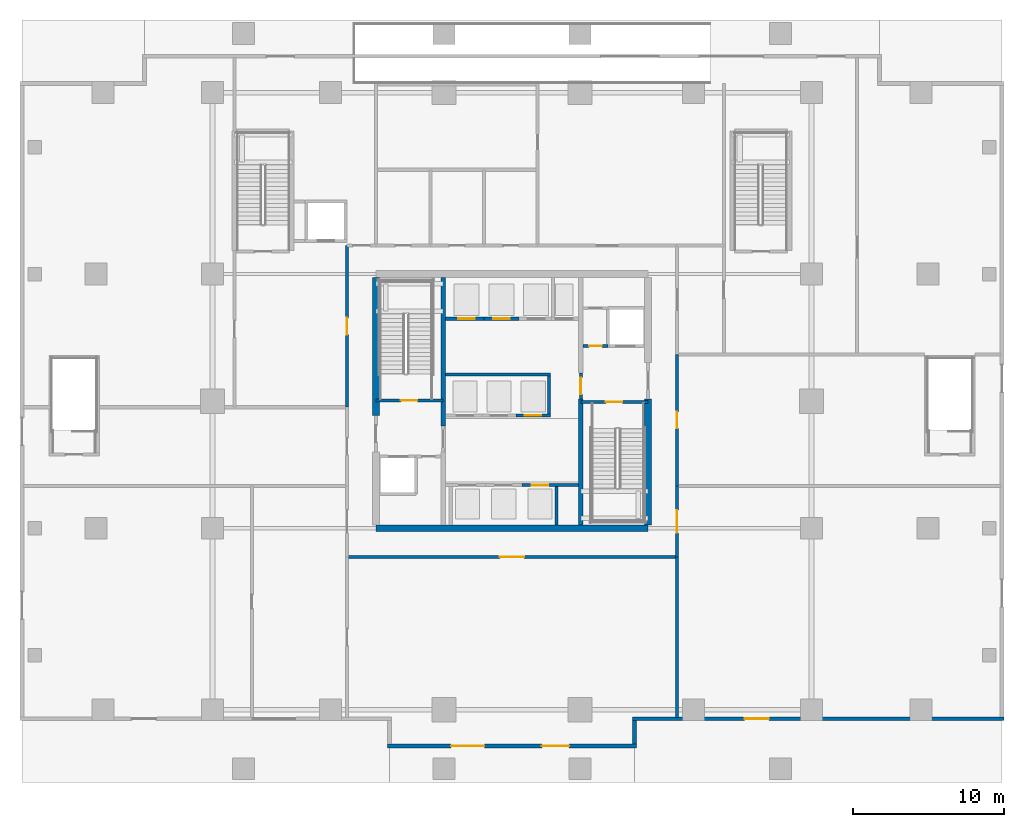
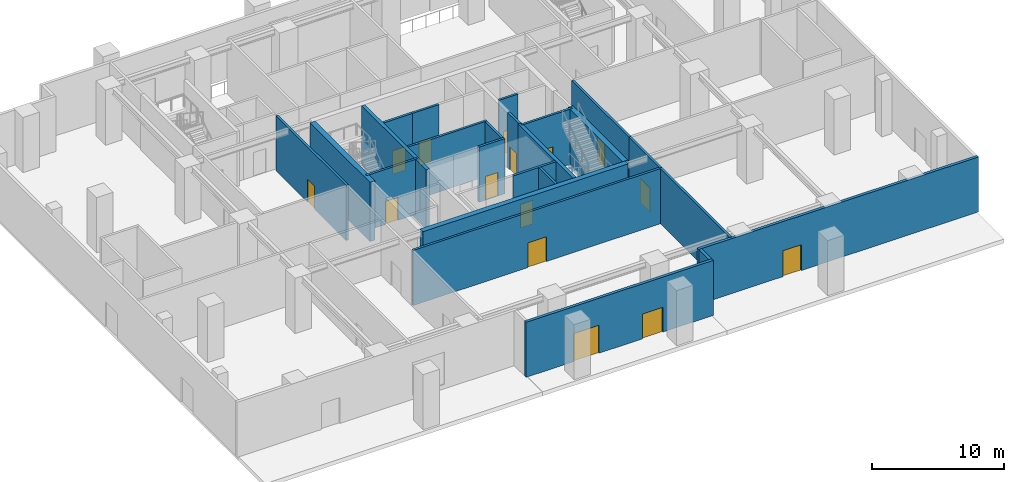
# One storey, part 4 of 15: 24 walls, 15 doors, 15 openings.
"""IFC4 building model written with IfcOpenShell, lengths in metres."""

from ifc_helpers import new_model, si_unit, direction, frame, frame_2d, origin, place, context, subcontext, project, spatial, rectangle, extrude, source, transform, mapped, material, layer, layer_set, type_object, element, fill, save


model = new_model("IFC4")

# Units and contexts
model_context = context("Model", 3, precision=1e-05, world=origin(), true_north=direction((0.0, 1.0)))
body_context = subcontext(model_context, "Body", "Model", "MODEL_VIEW")
ifc_project = project(units=[si_unit("LENGTHUNIT", "METRE"), si_unit("AREAUNIT", "SQUARE_METRE"), si_unit("VOLUMEUNIT", "CUBIC_METRE"), si_unit("PLANEANGLEUNIT", "RADIAN"), si_unit("MASSUNIT", "GRAM", prefix="KILO")], contexts=[model_context])

# Site, building, storey
site_placement = place(None, origin())
site = spatial("IfcSite", under=ifc_project, at=site_placement, CompositionType="ELEMENT")
building_placement = place(site_placement, origin())
building = spatial("IfcBuilding", under=site, at=building_placement, Name="Serunith Strait Residences", CompositionType="ELEMENT")
storey_placement = place(building_placement, origin())
storey = spatial("IfcBuildingStorey", under=building, at=storey_placement, Name="L00", CompositionType="ELEMENT", Elevation=0.0)

# Wall, openings, doors
ifc_material_1 = material(Name="Pale-Silver Aluminium Terracotta-Backed Wall", Category="masonry")
ifc_layer_1 = layer(ifc_material_1, 0.25, Name="Pale-Silver Aluminium Terracotta-Backed Wall")
ifc_layer_set_1 = layer_set([ifc_layer_1], Name="Pale-Silver Aluminium Terracotta-Backed Wall")
wall_type_1 = type_object("IfcWallType", Name="EW-POD-250", PredefinedType="ELEMENTEDWALL", material=ifc_layer_set_1)
wall_1_placement = place(storey_placement, frame((24.175048828125, 2.39990234375, 0.0), z_axis=(0.0, 0.0, 1.0), x_axis=(1.0, 0.0, 0.0)))
wall_1 = element("IfcWall", 1, at=wall_1_placement, inside=storey, type_object=wall_type_1, Name="L00 Podium Envelope Wall 3", PredefinedType="ELEMENTEDWALL", context=body_context, shape_type="SweptSolid", body=[
    extrude(rectangle(XDim=16.449951171875, YDim=0.25, at=frame_2d((8.22509765625, 0.0))), origin(), (0.0, 0.0, 1.0), 5.10498046875),
])
opening_1_placement = place(wall_1_placement, frame((4.199951171875, 0.0, 0.0)))
opening_1 = element("IfcOpeningElement", 2, at=opening_1_placement, cuts=wall_1, Name="Opening ED-01", PredefinedType="OPENING", context=body_context, shape_type="SweptSolid", body=[
    extrude(rectangle(XDim=2.199951171875, YDim=2.60009765625, at=frame_2d((1.10009765625, 1.300048828125))), frame((0.0, 0.135009765625, 0.0), z_axis=(0.0, -1.0, 0.0), x_axis=(1.0, 0.0, 0.0)), (0.0, 0.0, 1.0), 0.27001953125),
])
opening_2_placement = place(wall_1_placement, frame((10.199951171875, 0.0, 0.0)))
opening_2 = element("IfcOpeningElement", 3, at=opening_2_placement, cuts=wall_1, Name="Opening EX-05", PredefinedType="OPENING", context=body_context, shape_type="SweptSolid", body=[
    extrude(rectangle(XDim=1.800048828125, YDim=2.300048828125, at=frame_2d((0.89990234375, 1.14990234375))), frame((0.0, 0.135009765625, 0.0), z_axis=(0.0, -1.0, 0.0), x_axis=(1.0, 0.0, 0.0)), (0.0, 0.0, 1.0), 0.27001953125),
])
ifc_material_2 = material(Name="Pale-Champagne Aluminium Entrance Double Door", Category="aluminium")
door_type_1 = type_object("IfcDoorType", Name="ED-ENTR-2200", OperationType="NOTDEFINED", PredefinedType="DOOR", material=ifc_material_2)
shared_shape_1 = source(origin(), body_context, "Body", "SweptSolid", [
    extrude(rectangle(XDim=2.199951171875, YDim=2.60009765625, at=frame_2d((1.10009765625, 1.300048828125))), frame((0.0, 0.02490234375, 0.0), z_axis=(0.0, -1.0, 0.0), x_axis=(1.0, 0.0, 0.0)), (0.0, 0.0, 1.0), 0.050048828125),
])
door_1_placement = place(opening_1_placement, origin())
door_1 = element("IfcDoor", 4, at=door_1_placement, inside=storey, type_object=door_type_1, Name="Grand Waterfront Entrance Door", OperationType="DOUBLE_DOOR_SINGLE_SWING", OverallHeight=2.60009765625, OverallWidth=2.199951171875, PredefinedType="DOOR", context=body_context, shape_type="MappedRepresentation", body=[
    mapped(shared_shape_1, transform((0.0, 0.0, 0.0), scale=1.0)),
])
fill(opening_1, door_1)
ifc_material_3 = material(Name="Stainless Steel Glazed Exit Door", Category="steel")
door_type_2 = type_object("IfcDoorType", Name="ED-EXIT-1800", OperationType="NOTDEFINED", PredefinedType="DOOR", material=ifc_material_3)
shared_shape_2 = source(origin(), body_context, "Body", "SweptSolid", [
    extrude(rectangle(XDim=1.800048828125, YDim=2.300048828125, at=frame_2d((0.89990234375, 1.14990234375))), frame((0.0, 0.02490234375, 0.0), z_axis=(0.0, -1.0, 0.0), x_axis=(1.0, 0.0, 0.0)), (0.0, 0.0, 1.0), 0.050048828125),
])
door_2_placement = place(opening_2_placement, frame((1.800048828125, 0.0, 0.0), z_axis=(0.0, 0.0, 1.0), x_axis=(-1.0, 0.0, 0.0)))
door_2 = element("IfcDoor", 5, at=door_2_placement, inside=storey, type_object=door_type_2, Name="Ground Final Exit Door EX-05", OperationType="DOUBLE_DOOR_SINGLE_SWING", OverallHeight=2.300048828125, OverallWidth=1.800048828125, PredefinedType="DOOR", context=body_context, shape_type="MappedRepresentation", body=[
    mapped(shared_shape_2, transform((0.0, 0.0, 0.0), scale=1.0)),
])
fill(opening_2, door_2)

# Wall
wall_2_placement = place(storey_placement, frame((40.5, 2.52490234375, 0.0), z_axis=(0.0, 0.0, 1.0), x_axis=(0.0, 1.0, 0.0)))
element("IfcWall", 6, at=wall_2_placement, inside=storey, type_object=wall_type_1, Name="L00 Podium Envelope Wall 4", PredefinedType="ELEMENTEDWALL", context=body_context, shape_type="SweptSolid", body=[
    extrude(rectangle(XDim=1.550048828125, YDim=0.25, at=frame_2d((0.77490234375, 0.0))), origin(), (0.0, 0.0, 1.0), 5.10498046875),
])

# Wall, opening, door
wall_3_placement = place(storey_placement, frame((40.375, 4.199951171875, 0.0), z_axis=(0.0, 0.0, 1.0), x_axis=(1.0, 0.0, 0.0)))
wall_3 = element("IfcWall", 7, at=wall_3_placement, inside=storey, type_object=wall_type_1, Name="L00 Podium Envelope Wall 5", PredefinedType="ELEMENTEDWALL", context=body_context, shape_type="SweptSolid", body=[
    extrude(rectangle(XDim=24.550048828125, YDim=0.25, at=frame_2d((12.27490234375, 0.0))), origin(), (0.0, 0.0, 1.0), 5.10498046875),
])
opening_3_placement = place(wall_3_placement, frame((7.39990234375, 0.0, 0.0)))
opening_3 = element("IfcOpeningElement", 8, at=opening_3_placement, cuts=wall_3, Name="Opening ED-02", PredefinedType="OPENING", context=body_context, shape_type="SweptSolid", body=[
    extrude(rectangle(XDim=1.60009765625, YDim=2.39990234375, at=frame_2d((0.800048828125, 1.199951171875))), frame((0.0, 0.135009765625, 0.0), z_axis=(0.0, -1.0, 0.0), x_axis=(1.0, 0.0, 0.0)), (0.0, 0.0, 1.0), 0.27001953125),
])
ifc_material_4 = material(Name="Anodised Aluminium Retail Door", Category="aluminium")
door_type_3 = type_object("IfcDoorType", Name="ED-SHOP-1600", OperationType="NOTDEFINED", PredefinedType="DOOR", material=ifc_material_4)
shared_shape_3 = source(origin(), body_context, "Body", "SweptSolid", [
    extrude(rectangle(XDim=1.60009765625, YDim=2.39990234375, at=frame_2d((0.800048828125, 1.199951171875))), frame((0.0, 0.02490234375, 0.0), z_axis=(0.0, -1.0, 0.0), x_axis=(1.0, 0.0, 0.0)), (0.0, 0.0, 1.0), 0.050048828125),
])
door_3_placement = place(opening_3_placement, origin())
door_3 = element("IfcDoor", 9, at=door_3_placement, inside=storey, type_object=door_type_3, Name="Waterfront Retail Shop Entrance 4", OperationType="SINGLE_SWING_LEFT", OverallHeight=2.39990234375, OverallWidth=1.60009765625, PredefinedType="DOOR", context=body_context, shape_type="MappedRepresentation", body=[
    mapped(shared_shape_3, transform((0.0, 0.0, 0.0), scale=1.0)),
])
fill(opening_3, door_3)

# Wall
ifc_material_5 = material(Name="Reinforced masonry fire compartment wall", Category="masonry")
ifc_layer_2 = layer(ifc_material_5, 0.199951171875, Name="Reinforced masonry fire compartment wall")
ifc_layer_set_2 = layer_set([ifc_layer_2], Name="Reinforced masonry fire compartment wall")
wall_type_2 = type_object("IfcWallType", Name="IW-PASS-200", PredefinedType="STANDARD", material=ifc_layer_set_2)
wall_4_placement = place(storey_placement, frame((43.300048828125, 4.281982421875, 0.0), z_axis=(0.0, 0.0, 1.0), x_axis=(0.0, 1.0, 0.0)))
element("IfcWall", 10, at=wall_4_placement, inside=storey, type_object=wall_type_2, Name="L00 Partition Wall 015", PredefinedType="STANDARD", context=body_context, shape_type="SweptSolid", body=[
    extrude(rectangle(XDim=10.617919921875, YDim=0.199951171875, at=frame_2d((5.30908203125, 0.0))), origin(), (0.0, 0.0, 1.0), 5.1201171875),
])

# Wall, opening, door
wall_5_placement = place(storey_placement, frame((21.5, 14.89990234375, 0.0), z_axis=(0.0, 0.0, 1.0), x_axis=(1.0, 0.0, 0.0)))
wall_5 = element("IfcWall", 11, at=wall_5_placement, inside=storey, type_object=wall_type_2, Name="L00 Partition Wall 022", PredefinedType="STANDARD", context=body_context, shape_type="SweptSolid", body=[
    extrude(rectangle(XDim=21.800048828125, YDim=0.199951171875, at=frame_2d((10.89990234375, 0.0))), origin(), (0.0, 0.0, 1.0), 5.1201171875),
])
opening_4_placement = place(wall_5_placement, frame((10.10009765625, 0.0, 0.0)))
opening_4 = element("IfcOpeningElement", 12, at=opening_4_placement, cuts=wall_5, Name="Opening D-POD1600", PredefinedType="OPENING", context=body_context, shape_type="SweptSolid", body=[
    extrude(rectangle(XDim=1.60009765625, YDim=2.300048828125, at=frame_2d((0.800048828125, 1.14990234375))), frame((0.0, 0.10986328125, 0.0), z_axis=(0.0, -1.0, 0.0), x_axis=(1.0, 0.0, 0.0)), (0.0, 0.0, 1.0), 0.219970703125),
])
ifc_material_6 = material(Name="Pale-champagne aluminium glazed concourse door", Category="aluminium")
door_type_4 = type_object("IfcDoorType", Name="ID-POD-1600", OperationType="DOUBLE_DOOR_SINGLE_SWING", PredefinedType="DOOR", material=ifc_material_6)
shared_shape_4 = source(origin(), body_context, "Body", "SweptSolid", [
    extrude(rectangle(XDim=1.60009765625, YDim=2.300048828125, at=frame_2d((0.800048828125, 1.14990234375))), frame((0.0, 0.02490234375, 0.0), z_axis=(0.0, -1.0, 0.0), x_axis=(1.0, 0.0, 0.0)), (0.0, 0.0, 1.0), 0.050048828125),
])
door_4_placement = place(opening_4_placement, origin())
door_4 = element("IfcDoor", 13, at=door_4_placement, inside=storey, type_object=door_type_4, Name="Grand Arrival Lobby Concourse Door", OperationType="DOUBLE_DOOR_SINGLE_SWING", OverallHeight=2.300048828125, OverallWidth=1.60009765625, PredefinedType="DOOR", context=body_context, shape_type="MappedRepresentation", body=[
    mapped(shared_shape_4, transform((0.0, 0.0, 0.0), scale=1.0)),
])
fill(opening_4, door_4)

wall_6_placement = place(storey_placement, frame((21.5, 24.802001953125, 0.0), z_axis=(0.0, 0.0, 1.0), x_axis=(0.0, 1.0, 0.0)))
wall_6 = element("IfcWall", 14, at=wall_6_placement, inside=storey, type_object=wall_type_2, Name="L00 Partition Wall 027", PredefinedType="STANDARD", context=body_context, shape_type="SweptSolid", body=[
    extrude(rectangle(XDim=10.697998046875, YDim=0.199951171875, at=frame_2d((5.34912109375, 0.0))), origin(), (0.0, 0.0, 1.0), 5.1201171875),
])
opening_5_placement = place(wall_6_placement, frame((4.799072265625, 0.0, 0.0)))
opening_5 = element("IfcOpeningElement", 15, at=opening_5_placement, cuts=wall_6, Name="Opening FD-1100", PredefinedType="OPENING", context=body_context, shape_type="SweptSolid", body=[
    extrude(rectangle(XDim=1.10009765625, YDim=2.14990234375, at=frame_2d((0.550048828125, 1.074951171875))), frame((0.0, 0.10986328125, 0.0), z_axis=(0.0, -1.0, 0.0), x_axis=(1.0, 0.0, 0.0)), (0.0, 0.0, 1.0), 0.219970703125),
])
ifc_material_7 = material(Name="Galvanised steel fire door leaf", Category="steel")
door_type_5 = type_object("IfcDoorType", Name="FD-STAIR-1100", OperationType="NOTDEFINED", PredefinedType="DOOR", material=ifc_material_7)
shared_shape_5 = source(origin(), body_context, "Body", "SweptSolid", [
    extrude(rectangle(XDim=1.10009765625, YDim=2.14990234375, at=frame_2d((0.550048828125, 1.074951171875))), frame((0.0, 0.02490234375, 0.0), z_axis=(0.0, -1.0, 0.0), x_axis=(1.0, 0.0, 0.0)), (0.0, 0.0, 1.0), 0.050048828125),
])
door_5_placement = place(opening_5_placement, origin())
door_5 = element("IfcDoor", 16, at=door_5_placement, inside=storey, type_object=door_type_5, Name="Exit Passage 3 Concourse Door", OperationType="SINGLE_SWING_RIGHT", OverallHeight=2.14990234375, OverallWidth=1.10009765625, PredefinedType="DOOR", context=body_context, shape_type="MappedRepresentation", body=[
    mapped(shared_shape_5, transform((0.0, 0.0, 0.0), scale=1.0)),
])
fill(opening_5, door_5)

wall_7_placement = place(storey_placement, frame((43.300048828125, 14.902099609375, 0.0), z_axis=(0.0, 0.0, 1.0), x_axis=(0.0, 1.0, 0.0)))
wall_7 = element("IfcWall", 17, at=wall_7_placement, inside=storey, type_object=wall_type_2, Name="L00 Partition Wall 032", PredefinedType="STANDARD", context=body_context, shape_type="SweptSolid", body=[
    extrude(rectangle(XDim=4.697998046875, YDim=0.199951171875, at=frame_2d((2.34912109375, 0.0))), origin(), (0.0, 0.0, 1.0), 5.1201171875),
])
opening_6_placement = place(wall_7_placement, frame((1.59912109375, 0.0, 0.0)))
opening_6 = element("IfcOpeningElement", 18, at=opening_6_placement, cuts=wall_7, Name="Opening D-POD1500", PredefinedType="OPENING", context=body_context, shape_type="SweptSolid", body=[
    extrude(rectangle(XDim=1.5, YDim=2.25, at=frame_2d((0.75, 1.125))), frame((0.0, 0.10986328125, 0.0), z_axis=(0.0, -1.0, 0.0), x_axis=(1.0, 0.0, 0.0)), (0.0, 0.0, 1.0), 0.219970703125),
])
ifc_material_8 = material(Name="Pale-champagne aluminium glazed double door", Category="aluminium")
door_type_6 = type_object("IfcDoorType", Name="ID-POD-1500", OperationType="DOUBLE_DOOR_SINGLE_SWING", PredefinedType="DOOR", material=ifc_material_8)
shared_shape_6 = source(origin(), body_context, "Body", "SweptSolid", [
    extrude(rectangle(XDim=1.5, YDim=2.25, at=frame_2d((0.75, 1.125))), frame((0.0, 0.02490234375, 0.0), z_axis=(0.0, -1.0, 0.0), x_axis=(1.0, 0.0, 0.0)), (0.0, 0.0, 1.0), 0.050048828125),
])
door_6_placement = place(opening_6_placement, origin())
door_6 = element("IfcDoor", 19, at=door_6_placement, inside=storey, type_object=door_type_6, Name="Waterfront Retail 02 Concourse Door", OperationType="DOUBLE_DOOR_SINGLE_SWING", OverallHeight=2.25, OverallWidth=1.5, PredefinedType="DOOR", context=body_context, shape_type="MappedRepresentation", body=[
    mapped(shared_shape_6, transform((0.0, 0.0, 0.0), scale=1.0)),
])
fill(opening_6, door_6)

wall_8_placement = place(storey_placement, frame((43.300048828125, 19.60205078125, 0.0), z_axis=(0.0, 0.0, 1.0), x_axis=(0.0, 1.0, 0.0)))
wall_8 = element("IfcWall", 20, at=wall_8_placement, inside=storey, type_object=wall_type_2, Name="L00 Partition Wall 033", PredefinedType="STANDARD", context=body_context, shape_type="SweptSolid", body=[
    extrude(rectangle(XDim=8.697998046875, YDim=0.199951171875, at=frame_2d((4.34912109375, 0.0))), origin(), (0.0, 0.0, 1.0), 5.1201171875),
])
opening_7_placement = place(wall_8_placement, frame((3.799072265625, 0.0, 0.0)))
opening_7 = element("IfcOpeningElement", 21, at=opening_7_placement, cuts=wall_8, Name="Opening FD-1100", PredefinedType="OPENING", context=body_context, shape_type="SweptSolid", body=[
    extrude(rectangle(XDim=1.10009765625, YDim=2.14990234375, at=frame_2d((0.550048828125, 1.074951171875))), frame((0.0, 0.10986328125, 0.0), z_axis=(0.0, -1.0, 0.0), x_axis=(1.0, 0.0, 0.0)), (0.0, 0.0, 1.0), 0.219970703125),
])
door_7_placement = place(opening_7_placement, origin())
door_7 = element("IfcDoor", 22, at=door_7_placement, inside=storey, type_object=door_type_5, Name="Exit Passage 2 Concourse Door", OperationType="SINGLE_SWING_LEFT", OverallHeight=2.14990234375, OverallWidth=1.10009765625, PredefinedType="DOOR", context=body_context, shape_type="MappedRepresentation", body=[
    mapped(shared_shape_5, transform((0.0, 0.0, 0.0), scale=1.0)),
])
fill(opening_7, door_7)

ifc_material_9 = material(Name="Autoclaved aerated concrete blockwork", Category="masonry")
ifc_layer_3 = layer(ifc_material_9, 0.199951171875, Name="Autoclaved aerated concrete blockwork")
ifc_layer_set_3 = layer_set([ifc_layer_3], Name="Autoclaved aerated concrete blockwork")
wall_type_3 = type_object("IfcWallType", Name="IW-SHAFT-200", PredefinedType="STANDARD", material=ifc_layer_set_3)
wall_9_placement = place(storey_placement, frame((23.39990234375, 25.25, 0.0), z_axis=(0.0, 0.0, 1.0), x_axis=(1.0, 0.0, 0.0)))
wall_9 = element("IfcWall", 23, at=wall_9_placement, inside=storey, type_object=wall_type_3, Name="L00 ST-1 South Shaft Wall", PredefinedType="STANDARD", context=body_context, shape_type="SweptSolid", body=[
    extrude(rectangle(XDim=4.4501953125, YDim=0.199951171875, at=frame_2d((2.22509765625, 0.0))), origin(), (0.0, 0.0, 1.0), 5.1201171875),
])
opening_8_placement = place(wall_9_placement, frame((1.64990234375, 0.0, 0.0)))
opening_8 = element("IfcOpeningElement", 24, at=opening_8_placement, cuts=wall_9, Name="Opening FD-1100", PredefinedType="OPENING", context=body_context, shape_type="SweptSolid", body=[
    extrude(rectangle(XDim=1.10009765625, YDim=2.14990234375, at=frame_2d((0.550048828125, 1.074951171875))), frame((0.0, 0.10986328125, 0.0), z_axis=(0.0, -1.0, 0.0), x_axis=(1.0, 0.0, 0.0)), (0.0, 0.0, 1.0), 0.219970703125),
])
door_8_placement = place(opening_8_placement, origin())
door_8 = element("IfcDoor", 25, at=door_8_placement, inside=storey, type_object=door_type_5, Name="L00 ST-1 Escape Stair Door", OperationType="SINGLE_SWING_RIGHT", OverallHeight=2.14990234375, OverallWidth=1.10009765625, PredefinedType="DOOR", context=body_context, shape_type="MappedRepresentation", body=[
    mapped(shared_shape_5, transform((0.0, 0.0, 0.0), scale=1.0)),
])
fill(opening_8, door_8)

wall_10_placement = place(storey_placement, frame((36.949951171875, 25.14990234375, 0.0), z_axis=(0.0, 0.0, 1.0), x_axis=(1.0, 0.0, 0.0)))
wall_10 = element("IfcWall", 26, at=wall_10_placement, inside=storey, type_object=wall_type_3, Name="L00 ST-2 North Shaft Wall", PredefinedType="STANDARD", context=body_context, shape_type="SweptSolid", body=[
    extrude(rectangle(XDim=4.449951171875, YDim=0.199951171875, at=frame_2d((2.22509765625, 0.0))), origin(), (0.0, 0.0, 1.0), 5.1201171875),
])
opening_9_placement = place(wall_10_placement, frame((1.64990234375, 0.0, 0.0)))
opening_9 = element("IfcOpeningElement", 27, at=opening_9_placement, cuts=wall_10, Name="Opening FD-1100", PredefinedType="OPENING", context=body_context, shape_type="SweptSolid", body=[
    extrude(rectangle(XDim=1.10009765625, YDim=2.14990234375, at=frame_2d((0.550048828125, 1.074951171875))), frame((0.0, 0.10986328125, 0.0), z_axis=(0.0, -1.0, 0.0), x_axis=(1.0, 0.0, 0.0)), (0.0, 0.0, 1.0), 0.219970703125),
])
door_9_placement = place(opening_9_placement, origin())
door_9 = element("IfcDoor", 28, at=door_9_placement, inside=storey, type_object=door_type_5, Name="L00 ST-2 Escape Stair Door", OperationType="SINGLE_SWING_LEFT", OverallHeight=2.14990234375, OverallWidth=1.10009765625, PredefinedType="DOOR", context=body_context, shape_type="MappedRepresentation", body=[
    mapped(shared_shape_5, transform((0.0, 0.0, 0.0), scale=1.0)),
])
fill(opening_9, door_9)

wall_11_placement = place(storey_placement, frame((33.050048828125, 19.64990234375, 0.0), z_axis=(0.0, 0.0, 1.0), x_axis=(1.0, 0.0, 0.0)))
wall_11 = element("IfcWall", 29, at=wall_11_placement, inside=storey, type_object=wall_type_3, Name="L00 PL-3 North Shaft Wall", PredefinedType="STANDARD", context=body_context, shape_type="SweptSolid", body=[
    extrude(rectangle(XDim=3.75, YDim=0.199951171875, at=frame_2d((1.875, 0.0))), origin(), (0.0, 0.0, 1.0), 5.1201171875),
])
opening_10_placement = place(wall_11_placement, frame((0.64990234375, 0.0, 0.0)))
opening_10 = element("IfcOpeningElement", 30, at=opening_10_placement, cuts=wall_11, Name="Opening LD-1100", PredefinedType="OPENING", context=body_context, shape_type="SweptSolid", body=[
    extrude(rectangle(XDim=1.10009765625, YDim=2.199951171875, at=frame_2d((0.550048828125, 1.10009765625))), frame((0.0, 0.10986328125, 0.0), z_axis=(0.0, -1.0, 0.0), x_axis=(1.0, 0.0, 0.0)), (0.0, 0.0, 1.0), 0.219970703125),
])
ifc_material_10 = material(Name="Pale-champagne stainless landing door")
door_type_7 = type_object("IfcDoorType", Name="LD-LIFT-1100", OperationType="DOUBLE_DOOR_SLIDING", PredefinedType="DOOR", material=ifc_material_10)
shared_shape_7 = source(origin(), body_context, "Body", "SweptSolid", [
    extrude(rectangle(XDim=1.10009765625, YDim=2.199951171875, at=frame_2d((0.550048828125, 1.10009765625))), frame((0.0, 0.02490234375, 0.0), z_axis=(0.0, -1.0, 0.0), x_axis=(1.0, 0.0, 0.0)), (0.0, 0.0, 1.0), 0.050048828125),
])
door_10_placement = place(opening_10_placement, origin())
door_10 = element("IfcDoor", 31, at=door_10_placement, inside=storey, type_object=door_type_7, Name="L00 PL-3 Landing Door", OperationType="DOUBLE_DOOR_SLIDING", OverallHeight=2.199951171875, OverallWidth=1.10009765625, PredefinedType="DOOR", context=body_context, shape_type="MappedRepresentation", body=[
    mapped(shared_shape_7, transform((0.0, 0.0, 0.0), scale=1.0)),
])
fill(opening_10, door_10)

# Wall
wall_12_placement = place(storey_placement, frame((35.35009765625, 17.02490234375, 0.0), z_axis=(0.0, 0.0, 1.0), x_axis=(0.0, 1.0, 0.0)))
element("IfcWall", 32, at=wall_12_placement, inside=storey, type_object=wall_type_3, Name="L00 PL-3 East Shaft Wall", PredefinedType="STANDARD", context=body_context, shape_type="SweptSolid", body=[
    extrude(rectangle(XDim=2.525146484375, YDim=0.199951171875, at=frame_2d((1.2626953125, 0.0))), origin(), (0.0, 0.0, 1.0), 5.1201171875),
])

# Wall, opening, door
wall_13_placement = place(storey_placement, frame((32.675048828125, 24.25, 0.0), z_axis=(0.0, 0.0, 1.0), x_axis=(1.0, 0.0, 0.0)))
wall_13 = element("IfcWall", 33, at=wall_13_placement, inside=storey, type_object=wall_type_3, Name="L00 PL-6 South Shaft Wall", PredefinedType="STANDARD", context=body_context, shape_type="SweptSolid", body=[
    extrude(rectangle(XDim=2.27490234375, YDim=0.199951171875, at=frame_2d((1.137451171875, 0.0))), origin(), (0.0, 0.0, 1.0), 5.1201171875),
])
opening_11_placement = place(wall_13_placement, frame((0.574951171875, 0.0, 0.0)))
opening_11 = element("IfcOpeningElement", 34, at=opening_11_placement, cuts=wall_13, Name="Opening LD-1100", PredefinedType="OPENING", context=body_context, shape_type="SweptSolid", body=[
    extrude(rectangle(XDim=1.10009765625, YDim=2.199951171875, at=frame_2d((0.550048828125, 1.10009765625))), frame((0.0, 0.10986328125, 0.0), z_axis=(0.0, -1.0, 0.0), x_axis=(1.0, 0.0, 0.0)), (0.0, 0.0, 1.0), 0.219970703125),
])
door_11_placement = place(opening_11_placement, origin())
door_11 = element("IfcDoor", 35, at=door_11_placement, inside=storey, type_object=door_type_7, Name="L00 PL-6 Landing Door", OperationType="DOUBLE_DOOR_SLIDING", OverallHeight=2.199951171875, OverallWidth=1.10009765625, PredefinedType="DOOR", context=body_context, shape_type="MappedRepresentation", body=[
    mapped(shared_shape_7, transform((0.0, 0.0, 0.0), scale=1.0)),
])
fill(opening_11, door_11)

# Wall
wall_14_placement = place(storey_placement, frame((34.85009765625, 24.35009765625, 0.0), z_axis=(0.0, 0.0, 1.0), x_axis=(0.0, 1.0, 0.0)))
element("IfcWall", 36, at=wall_14_placement, inside=storey, type_object=wall_type_3, Name="L00 PL-6 East Shaft Wall", PredefinedType="STANDARD", context=body_context, shape_type="SweptSolid", body=[
    extrude(rectangle(XDim=2.5, YDim=0.199951171875, at=frame_2d((1.25, 0.0))), origin(), (0.0, 0.0, 1.0), 5.1201171875),
])

# Wall, opening, door
wall_15_placement = place(storey_placement, frame((28.0, 30.64990234375, 0.0), z_axis=(0.0, 0.0, 1.0), x_axis=(1.0, 0.0, 0.0)))
wall_15 = element("IfcWall", 37, at=wall_15_placement, inside=storey, type_object=wall_type_3, Name="L00 PL-7 South Shaft Wall", PredefinedType="STANDARD", context=body_context, shape_type="SweptSolid", body=[
    extrude(rectangle(XDim=2.550048828125, YDim=0.199951171875, at=frame_2d((1.27490234375, 0.0))), origin(), (0.0, 0.0, 1.0), 5.1201171875),
])
opening_12_placement = place(wall_15_placement, frame((0.85009765625, 0.0, 0.0)))
opening_12 = element("IfcOpeningElement", 38, at=opening_12_placement, cuts=wall_15, Name="Opening LD-1100", PredefinedType="OPENING", context=body_context, shape_type="SweptSolid", body=[
    extrude(rectangle(XDim=1.10009765625, YDim=2.199951171875, at=frame_2d((0.550048828125, 1.10009765625))), frame((0.0, 0.10986328125, 0.0), z_axis=(0.0, -1.0, 0.0), x_axis=(1.0, 0.0, 0.0)), (0.0, 0.0, 1.0), 0.219970703125),
])
door_12_placement = place(opening_12_placement, origin())
door_12 = element("IfcDoor", 39, at=door_12_placement, inside=storey, type_object=door_type_7, Name="L00 PL-7 Landing Door", OperationType="DOUBLE_DOOR_SLIDING", OverallHeight=2.199951171875, OverallWidth=1.10009765625, PredefinedType="DOOR", context=body_context, shape_type="MappedRepresentation", body=[
    mapped(shared_shape_7, transform((0.0, 0.0, 0.0), scale=1.0)),
])
fill(opening_12, door_12)

wall_16_placement = place(storey_placement, frame((30.550048828125, 30.64990234375, 0.0), z_axis=(0.0, 0.0, 1.0), x_axis=(1.0, 0.0, 0.0)))
wall_16 = element("IfcWall", 40, at=wall_16_placement, inside=storey, type_object=wall_type_3, Name="L00 PL-8 South Shaft Wall", PredefinedType="STANDARD", context=body_context, shape_type="SweptSolid", body=[
    extrude(rectangle(XDim=2.300048828125, YDim=0.199951171875, at=frame_2d((1.14990234375, 0.0))), origin(), (0.0, 0.0, 1.0), 5.1201171875),
])
opening_13_placement = place(wall_16_placement, frame((0.60009765625, 0.0, 0.0)))
opening_13 = element("IfcOpeningElement", 41, at=opening_13_placement, cuts=wall_16, Name="Opening LD-1100", PredefinedType="OPENING", context=body_context, shape_type="SweptSolid", body=[
    extrude(rectangle(XDim=1.10009765625, YDim=2.199951171875, at=frame_2d((0.550048828125, 1.10009765625))), frame((0.0, 0.10986328125, 0.0), z_axis=(0.0, -1.0, 0.0), x_axis=(1.0, 0.0, 0.0)), (0.0, 0.0, 1.0), 0.219970703125),
])
door_13_placement = place(opening_13_placement, origin())
door_13 = element("IfcDoor", 42, at=door_13_placement, inside=storey, type_object=door_type_7, Name="L00 PL-8 Landing Door", OperationType="DOUBLE_DOOR_SLIDING", OverallHeight=2.199951171875, OverallWidth=1.10009765625, PredefinedType="DOOR", context=body_context, shape_type="MappedRepresentation", body=[
    mapped(shared_shape_7, transform((0.0, 0.0, 0.0), scale=1.0)),
])
fill(opening_13, door_13)

wall_17_placement = place(storey_placement, frame((37.10009765625, 28.85009765625, 0.0), z_axis=(0.0, 0.0, 1.0), x_axis=(1.0, 0.0, 0.0)))
wall_17 = element("IfcWall", 43, at=wall_17_placement, inside=storey, type_object=wall_type_3, Name="L00 Partition Wall 006", PredefinedType="STANDARD", context=body_context, shape_type="SweptSolid", body=[
    extrude(rectangle(XDim=1.64794921875, YDim=0.199951171875, at=frame_2d((0.823974609375, 0.0))), origin(), (0.0, 0.0, 1.0), 5.1201171875),
])
opening_14_placement = place(wall_17_placement, frame((0.39892578125, 0.0, 0.0)))
opening_14 = element("IfcOpeningElement", 44, at=opening_14_placement, cuts=wall_17, Name="Opening FD-850", PredefinedType="OPENING", context=body_context, shape_type="SweptSolid", body=[
    extrude(rectangle(XDim=0.85009765625, YDim=2.10009765625, at=frame_2d((0.425048828125, 1.050048828125))), frame((0.0, 0.10986328125, 0.0), z_axis=(0.0, -1.0, 0.0), x_axis=(1.0, 0.0, 0.0)), (0.0, 0.0, 1.0), 0.219970703125),
])
ifc_material_11 = material(Name="Powder-coated steel service closet door", Category="steel")
door_type_8 = type_object("IfcDoorType", Name="FD-BOH-850", OperationType="NOTDEFINED", PredefinedType="DOOR", material=ifc_material_11)
shared_shape_8 = source(origin(), body_context, "Body", "SweptSolid", [
    extrude(rectangle(XDim=0.85009765625, YDim=2.10009765625, at=frame_2d((0.425048828125, 1.050048828125))), frame((0.0, 0.02490234375, 0.0), z_axis=(0.0, -1.0, 0.0), x_axis=(1.0, 0.0, 0.0)), (0.0, 0.0, 1.0), 0.050048828125),
])
door_14_placement = place(opening_14_placement, origin())
door_14 = element("IfcDoor", 45, at=door_14_placement, inside=storey, type_object=door_type_8, Name="L00 North-East Core Service Door", OperationType="SINGLE_SWING_RIGHT", OverallHeight=2.10009765625, OverallWidth=0.85009765625, PredefinedType="DOOR", context=body_context, shape_type="MappedRepresentation", body=[
    mapped(shared_shape_8, transform((0.0, 0.0, 0.0), scale=1.0)),
])
fill(opening_14, door_14)

wall_18_placement = place(storey_placement, frame((36.949951171875, 25.35205078125, 0.0), z_axis=(0.0, 0.0, 1.0), x_axis=(0.0, 1.0, 0.0)))
wall_18 = element("IfcWall", 46, at=wall_18_placement, inside=storey, type_object=wall_type_3, Name="L00 Partition Wall 010", PredefinedType="STANDARD", context=body_context, shape_type="SweptSolid", body=[
    extrude(rectangle(XDim=1.696044921875, YDim=0.199951171875, at=frame_2d((0.84814453125, 0.0))), origin(), (0.0, 0.0, 1.0), 5.1201171875),
])
opening_15_placement = place(wall_18_placement, frame((0.298095703125, 0.0, 0.0)))
opening_15 = element("IfcOpeningElement", 47, at=opening_15_placement, cuts=wall_18, Name="Opening FD-FFL", PredefinedType="OPENING", context=body_context, shape_type="SweptSolid", body=[
    extrude(rectangle(XDim=1.10009765625, YDim=2.14990234375, at=frame_2d((0.550048828125, 1.074951171875))), frame((0.0, 0.10986328125, 0.0), z_axis=(0.0, -1.0, 0.0), x_axis=(1.0, 0.0, 0.0)), (0.0, 0.0, 1.0), 0.219970703125),
])
ifc_material_12 = material(Name="Glazed steel smoke-lobby fire door", Category="steel")
door_type_9 = type_object("IfcDoorType", Name="FD-FFL-1100", OperationType="NOTDEFINED", PredefinedType="DOOR", material=ifc_material_12)
door_15_placement = place(opening_15_placement, origin())
door_15 = element("IfcDoor", 48, at=door_15_placement, inside=storey, type_object=door_type_9, Name="L00 FFL-2 Lift Lobby Door", OperationType="SINGLE_SWING_RIGHT", OverallHeight=2.14990234375, OverallWidth=1.10009765625, PredefinedType="DOOR", context=body_context, shape_type="MappedRepresentation", body=[
    mapped(shared_shape_5, transform((0.0, 0.0, 0.0), scale=1.0)),
])
fill(opening_15, door_15)

# Walls
wall_19_placement = place(storey_placement, frame((28.0, 26.949951171875, 0.0), z_axis=(0.0, 0.0, 1.0), x_axis=(1.0, 0.0, 0.0)))
element("IfcWall", 49, at=wall_19_placement, inside=storey, type_object=wall_type_3, Name="L00 Partition Wall 011", PredefinedType="STANDARD", context=body_context, shape_type="SweptSolid", body=[
    extrude(rectangle(XDim=6.949951171875, YDim=0.199951171875, at=frame_2d((3.47509765625, 0.0))), origin(), (0.0, 0.0, 1.0), 5.1201171875),
])
ifc_material_13 = material(Name="Concrete C80/95", Category="concrete")
ifc_layer_4 = layer(ifc_material_13, 0.300048828125, Name="Concrete C80/95")
ifc_layer_set_4 = layer_set([ifc_layer_4], Name="Concrete C80/95")
wall_type_4 = type_object("IfcWallType", Name="SW-300-C80", PredefinedType="SHEAR", material=ifc_layer_set_4)
wall_20_placement = place(storey_placement, frame((27.85009765625, 23.550048828125, -0.3798828125), z_axis=(0.0, 0.0, 1.0), x_axis=(0.0, 1.0, 0.0)))
element("IfcWall", 50, at=wall_20_placement, inside=storey, type_object=wall_type_4, Name="L00 Core Internal West Web North Pier", PredefinedType="SHEAR", context=body_context, shape_type="SweptSolid", body=[
    extrude(rectangle(XDim=9.824951171875, YDim=0.300048828125, at=frame_2d((4.91259765625, 0.0))), origin(), (0.0, 0.0, 1.0), 5.497802734375),
])
wall_21_placement = place(storey_placement, frame((36.949951171875, 17.02490234375, -0.3798828125), z_axis=(0.0, 0.0, 1.0), x_axis=(0.0, 1.0, 0.0)))
element("IfcWall", 51, at=wall_21_placement, inside=storey, type_object=wall_type_4, Name="L00 Core Internal East Web South Pier", PredefinedType="SHEAR", context=body_context, shape_type="SweptSolid", body=[
    extrude(rectangle(XDim=8.3251953125, YDim=0.300048828125, at=frame_2d((4.16259765625, 0.0))), origin(), (0.0, 0.0, 1.0), 5.497802734375),
])
ifc_layer_5 = layer(ifc_material_13, 0.449951171875, Name="Concrete C80/95")
ifc_layer_set_5 = layer_set([ifc_layer_5], Name="Concrete C80/95")
wall_type_5 = type_object("IfcWallType", Name="SW-450-C80", PredefinedType="SHEAR", material=ifc_layer_set_5)
wall_22_placement = place(storey_placement, frame((23.39990234375, 16.800048828125, -0.3798828125), z_axis=(0.0, 0.0, 1.0), x_axis=(1.0, 0.0, 0.0)))
element("IfcWall", 52, at=wall_22_placement, inside=storey, type_object=wall_type_5, Name="L00 Core South Shear Wall", PredefinedType="SHEAR", context=body_context, shape_type="SweptSolid", body=[
    extrude(rectangle(XDim=18.0, YDim=0.449951171875, at=frame_2d((9.0, 0.0))), origin(), (0.0, 0.0, 1.0), 5.497802734375),
])
wall_23_placement = place(storey_placement, frame((23.39990234375, 24.25, -0.3798828125), z_axis=(0.0, 0.0, 1.0), x_axis=(0.0, 1.0, 0.0)))
element("IfcWall", 53, at=wall_23_placement, inside=storey, type_object=wall_type_5, Name="L00 Core West Shear Wall North Pier", PredefinedType="SHEAR", context=body_context, shape_type="SweptSolid", body=[
    extrude(rectangle(XDim=9.125, YDim=0.449951171875, at=frame_2d((4.5625, 0.0))), origin(), (0.0, 0.0, 1.0), 5.497802734375),
])
wall_24_placement = place(storey_placement, frame((41.39990234375, 17.02490234375, -0.3798828125), z_axis=(0.0, 0.0, 1.0), x_axis=(0.0, 1.0, 0.0)))
element("IfcWall", 54, at=wall_24_placement, inside=storey, type_object=wall_type_5, Name="L00 Core East Shear Wall South Pier", PredefinedType="SHEAR", context=body_context, shape_type="SweptSolid", body=[
    extrude(rectangle(XDim=8.3251953125, YDim=0.449951171875, at=frame_2d((4.16259765625, 0.0))), origin(), (0.0, 0.0, 1.0), 5.497802734375),
])

save(model, "model.ifc")
